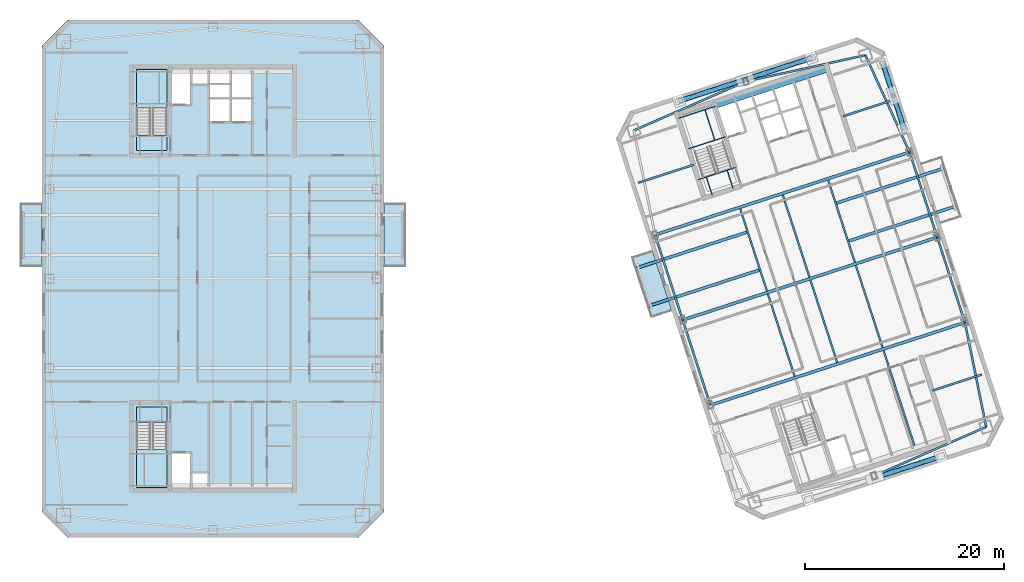
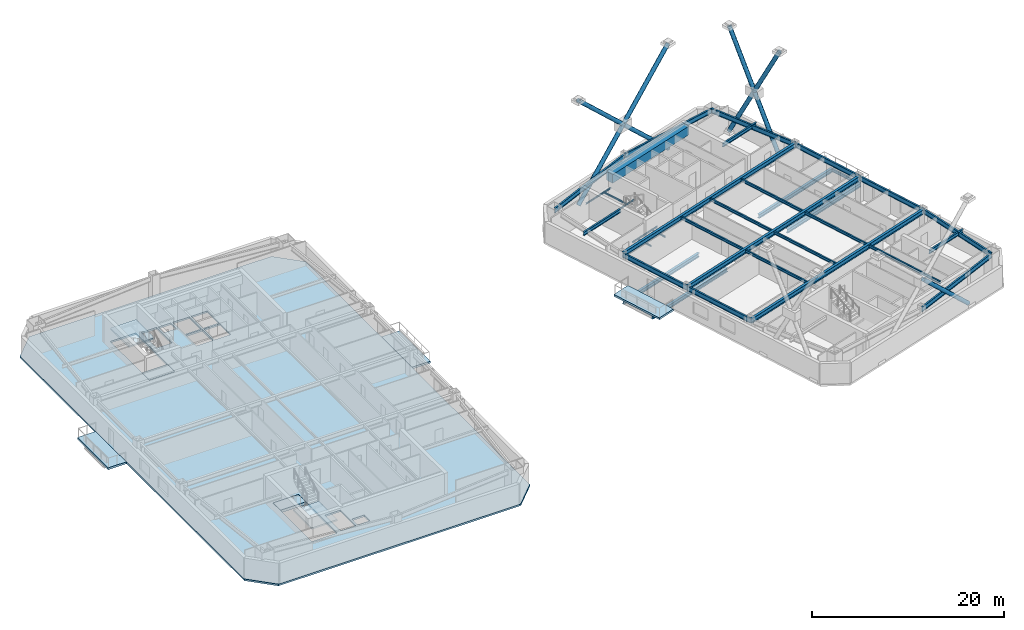
# One storey, part 4 of 16: 34 beams, 9 members, 8 slabs, 2 elements without a shape of their own.
"""IFC4 building model written with IfcOpenShell, lengths in metres."""

from ifc_helpers import new_model, si_unit, direction, frame, origin, origin_2d, place, context, subcontext, project, spatial, polyline, rectangle, hollow_circle, i_section, outline, extrude, material, layer, layer_set, material_profile, profile_set, type_object, element, aggregate, save


model = new_model("IFC4")

# Units and contexts
model_context = context("Model", 3, precision=1e-05, world=origin(), true_north=direction((0.0, 1.0)))
body_context = subcontext(model_context, "Body", "Model", "MODEL_VIEW")
ifc_project = project(units=[si_unit("LENGTHUNIT", "METRE"), si_unit("AREAUNIT", "SQUARE_METRE"), si_unit("VOLUMEUNIT", "CUBIC_METRE"), si_unit("PLANEANGLEUNIT", "RADIAN"), si_unit("MASSUNIT", "GRAM", prefix="KILO")], contexts=[model_context])

# Site, building, storey
site_placement = place(None, origin())
site = spatial("IfcSite", under=ifc_project, at=site_placement, CompositionType="ELEMENT")
building_placement = place(site_placement, origin())
building = spatial("IfcBuilding", under=site, at=building_placement, Name="Qiaolan Cultural Towers", CompositionType="ELEMENT")
storey_placement = place(building_placement, frame((0.0, 0.0, 198.949951171875)))
storey = spatial("IfcBuildingStorey", under=building, at=storey_placement, Name="L53", CompositionType="ELEMENT", Elevation=198.949951171875)

# Beams
ifc_material_1 = material(Name="Steel Q355B", Category="steel")
ifc_material_profile_1 = material_profile(ifc_material_1, i_section(OverallWidth=0.300048828125, OverallDepth=0.488037109375, WebThickness=0.010986328125, FlangeThickness=0.01806640625, at=origin_2d()), Name="HM488x300x11x18")
ifc_profile_set_1 = profile_set([ifc_material_profile_1], Name="Steel Q355B")
beam_type_1 = type_object("IfcBeamType", Name="BM-HM488x300x11x18", PredefinedType="BEAM", material=ifc_profile_set_1)
beam_1_placement = place(storey_placement, frame((84.978515625, 34.891845703125, -0.52392578125), z_axis=(-0.951057886204, -0.309012778197, 0.0), x_axis=(0.309012778197, -0.951057886204, 0.0)))
element("IfcBeam", 1, at=beam_1_placement, inside=storey, type_object=beam_type_1, Name="L53 T2 Tree Balcony Back-Spanned Bracket Beam", PredefinedType="BEAM", context=body_context, shape_type="SweptSolid", body=[
    extrude(i_section(OverallWidth=0.300048828125, OverallDepth=0.488037109375, WebThickness=0.010986328125, FlangeThickness=0.01806640625, at=origin_2d()), origin(), (0.0, 0.0, 1.0), 11.749755859375),
])
beam_2_placement = place(storey_placement, frame((83.742431640625, 38.6962890625, -0.52392578125), z_axis=(-0.951051779584, -0.309031572091, 0.0), x_axis=(0.309031572091, -0.951051779584, 0.0)))
element("IfcBeam", 2, at=beam_2_placement, inside=storey, type_object=beam_type_1, Name="L53 T2 Tree Balcony Back-Spanned Bracket Beam", PredefinedType="BEAM", context=body_context, shape_type="SweptSolid", body=[
    extrude(i_section(OverallWidth=0.300048828125, OverallDepth=0.488037109375, WebThickness=0.010986328125, FlangeThickness=0.01806640625, at=origin_2d()), origin(), (0.0, 0.0, 1.0), 11.75),
])
beam_3_placement = place(storey_placement, frame((93.823486328125, 37.765869140625, -0.52392578125), z_axis=(0.951061016342, 0.309003144311, 0.0), x_axis=(-0.309003144311, 0.951061016342, 0.0)))
element("IfcBeam", 3, at=beam_3_placement, inside=storey, type_object=beam_type_1, Name="L53 T2 Tree Balcony Back-Spanned Bracket Beam", PredefinedType="BEAM", context=body_context, shape_type="SweptSolid", body=[
    extrude(i_section(OverallWidth=0.300048828125, OverallDepth=0.488037109375, WebThickness=0.010986328125, FlangeThickness=0.01806640625, at=origin_2d()), origin(), (0.0, 0.0, 1.0), 11.449951171875),
])
beam_4_placement = place(storey_placement, frame((92.58740234375, 41.570068359375, -0.52392578125), z_axis=(0.951054749965, 0.309022430527, 0.0), x_axis=(-0.309022430527, 0.951054749965, 0.0)))
element("IfcBeam", 4, at=beam_4_placement, inside=storey, type_object=beam_type_1, Name="L53 T2 Tree Balcony Back-Spanned Bracket Beam", PredefinedType="BEAM", context=body_context, shape_type="SweptSolid", body=[
    extrude(i_section(OverallWidth=0.300048828125, OverallDepth=0.488037109375, WebThickness=0.010986328125, FlangeThickness=0.01806640625, at=origin_2d()), origin(), (0.0, 0.0, 1.0), 11.4501953125),
])
ifc_material_2 = material(Name="Steel Q355B", Category="steel")
ifc_material_profile_2 = material_profile(ifc_material_2, i_section(OverallWidth=0.300048828125, OverallDepth=0.587890625, WebThickness=0.011962890625, FlangeThickness=0.02001953125, at=origin_2d()), Name="HM588x300x12x20")
ifc_profile_set_2 = profile_set([ifc_material_profile_2], Name="Steel Q355B")
beam_type_2 = type_object("IfcBeamType", Name="BM-HM588x300x12x20", PredefinedType="BEAM", material=ifc_profile_set_2)
beam_5_placement = place(storey_placement, frame((79.989501953125, 21.2841796875, 2.89599609375), z_axis=(0.951056543098, 0.309016911884, 0.0), x_axis=(-0.309016911884, 0.951056543098, 0.0)))
element("IfcBeam", 5, at=beam_5_placement, inside=storey, type_object=beam_type_2, Name="L53 T2 Primary Transverse Girder V1", PredefinedType="BEAM", context=body_context, shape_type="SweptSolid", body=[
    extrude(i_section(OverallWidth=0.300048828125, OverallDepth=0.587890625, WebThickness=0.011962890625, FlangeThickness=0.02001953125, at=origin_2d()), origin(), (0.0, 0.0, 1.0), 26.89990234375),
])
beam_6_placement = place(storey_placement, frame((77.208251953125, 29.84375, 2.89599609375), z_axis=(0.95105740976, 0.309014244561, 0.0), x_axis=(-0.309014244561, 0.95105740976, 0.0)))
element("IfcBeam", 6, at=beam_6_placement, inside=storey, type_object=beam_type_2, Name="L53 T2 Primary Transverse Girder V2", PredefinedType="BEAM", context=body_context, shape_type="SweptSolid", body=[
    extrude(i_section(OverallWidth=0.300048828125, OverallDepth=0.587890625, WebThickness=0.011962890625, FlangeThickness=0.02001953125, at=origin_2d()), origin(), (0.0, 0.0, 1.0), 26.900146484375),
])
beam_7_placement = place(storey_placement, frame((74.42724609375, 38.4033203125, 2.89599609375), z_axis=(0.951056543098, 0.309016911884, 0.0), x_axis=(-0.309016911884, 0.951056543098, 0.0)))
element("IfcBeam", 7, at=beam_7_placement, inside=storey, type_object=beam_type_2, Name="L53 T2 Primary Transverse Girder V3", PredefinedType="BEAM", context=body_context, shape_type="SweptSolid", body=[
    extrude(i_section(OverallWidth=0.300048828125, OverallDepth=0.587890625, WebThickness=0.011962890625, FlangeThickness=0.02001953125, at=origin_2d()), origin(), (0.0, 0.0, 1.0), 26.89990234375),
])
ifc_material_3 = material(Name="Steel Q355B", Category="steel")
ifc_material_profile_3 = material_profile(ifc_material_3, i_section(OverallWidth=0.175048828125, OverallDepth=0.35009765625, WebThickness=0.007080078125, FlangeThickness=0.010986328125, at=origin_2d()), Name="HN350x175x7x11")
ifc_profile_set_3 = profile_set([ifc_material_profile_3], Name="Steel Q355B")
beam_type_3 = type_object("IfcBeamType", Name="BM-JST-HN350x175x7x11", PredefinedType="JOIST", material=ifc_profile_set_3)
beam_8_placement = place(storey_placement, frame((104.713134765625, 41.303955078125, -0.52392578125), z_axis=(-0.3090046493, 0.951060527364, 0.0), x_axis=(-0.951060527364, -0.3090046493, 0.0)))
element("IfcBeam", 8, at=beam_8_placement, inside=storey, type_object=beam_type_3, Name="L53 T2 Tree Balcony Outer Edge Beam", PredefinedType="JOIST", context=body_context, shape_type="SweptSolid", body=[
    extrude(i_section(OverallWidth=0.175048828125, OverallDepth=0.35009765625, WebThickness=0.007080078125, FlangeThickness=0.010986328125, at=origin_2d()), origin(), (0.0, 0.0, 1.0), 4.000244140625),
])
for number, where, z_axis, x_axis, name in (
    (9, (88.455078125, 24.192626953125, 3.01513671875), (-0.309020714809, 0.951055307445, 0.0), (-0.951055307445, -0.309020714809, 0.0), "L53 T2 Secondary Floor Joist U1-2"),
    (10, (85.673828125, 32.752197265625, 3.01513671875), (-0.309020714809, 0.951055307445, 0.0), (-0.951055307445, -0.309020714809, 0.0), "L53 T2 Secondary Floor Joist U1-3"),
    (11, (92.73486328125, 25.583251953125, 3.01513671875), (-0.309020714809, 0.951055307445, 0.0), (-0.951055307445, -0.309020714809, 0.0), "L53 T2 Secondary Floor Joist U2-2"),
    (12, (89.95361328125, 34.142578125, 3.01513671875), (-0.309020714809, 0.951055307445, 0.0), (-0.951055307445, -0.309020714809, 0.0), "L53 T2 Secondary Floor Joist U2-3"),
):
    element("IfcBeam", number, at=place(storey_placement, frame(where, z_axis=z_axis, x_axis=x_axis)), inside=storey, type_object=beam_type_3, Name=name, PredefinedType="JOIST", context=body_context, shape_type="SweptSolid", body=[
        extrude(i_section(OverallWidth=0.175048828125, OverallDepth=0.35009765625, WebThickness=0.007080078125, FlangeThickness=0.010986328125, at=origin_2d()), origin(), (0.0, 0.0, 1.0), 8.699951171875),
    ])
beam_9_placement = place(storey_placement, frame((100.498291015625, 17.222900390625, 3.01513671875), z_axis=(-0.309025649293, 0.951053704098, 0.0), x_axis=(-0.951053704098, -0.309025649293, 0.0)))
element("IfcBeam", 13, at=beam_9_placement, inside=storey, type_object=beam_type_3, Name="L53 T2 Secondary Floor Joist U3-1", PredefinedType="JOIST", context=body_context, shape_type="SweptSolid", body=[
    extrude(i_section(OverallWidth=0.175048828125, OverallDepth=0.35009765625, WebThickness=0.007080078125, FlangeThickness=0.010986328125, at=origin_2d()), origin(), (0.0, 0.0, 1.0), 10.050048828125),
])
for number, where, z_axis, x_axis, name in (
    (14, (97.2998046875, 27.06640625, 3.01513671875), (-0.309020714809, 0.951055307445, 0.0), (-0.951055307445, -0.309020714809, 0.0), "L53 T2 Secondary Floor Joist U3-2"),
    (15, (94.518798828125, 35.6259765625, 3.01513671875), (-0.309020714809, 0.951055307445, 0.0), (-0.951055307445, -0.309020714809, 0.0), "L53 T2 Secondary Floor Joist U3-3"),
):
    element("IfcBeam", number, at=place(storey_placement, frame(where, z_axis=z_axis, x_axis=x_axis)), inside=storey, type_object=beam_type_3, Name=name, PredefinedType="JOIST", context=body_context, shape_type="SweptSolid", body=[
        extrude(i_section(OverallWidth=0.175048828125, OverallDepth=0.35009765625, WebThickness=0.007080078125, FlangeThickness=0.010986328125, at=origin_2d()), origin(), (0.0, 0.0, 1.0), 8.699951171875),
    ])
ifc_material_4 = material(Name="Steel Q355B", Category="steel")
ifc_material_profile_4 = material_profile(ifc_material_4, i_section(OverallWidth=0.199951171875, OverallDepth=0.449951171875, WebThickness=0.009033203125, FlangeThickness=0.013916015625, at=origin_2d()), Name="HN450x200x9x14")
ifc_profile_set_4 = profile_set([ifc_material_profile_4], Name="Steel Q355B")
beam_type_4 = type_object("IfcBeamType", Name="BM-LNT-HN450x200x9x14", PredefinedType="LINTEL", material=ifc_profile_set_4)
beam_10_placement = place(storey_placement, frame((78.291259765625, 45.44189453125, 2.965087890625), z_axis=(-0.951051548326, -0.309032283793, 0.0), x_axis=(0.309032283793, -0.951051548326, 0.0)))
element("IfcBeam", 16, at=beam_10_placement, inside=storey, type_object=beam_type_4, Name="L53 T2 Core Flank Tie Lintel WN", PredefinedType="LINTEL", context=body_context, shape_type="SweptSolid", body=[
    extrude(i_section(OverallWidth=0.199951171875, OverallDepth=0.449951171875, WebThickness=0.009033203125, FlangeThickness=0.013916015625, at=origin_2d()), origin(), (0.0, 0.0, 1.0), 5.85009765625),
])
for number, where, z_axis, x_axis, name in (
    (17, (102.279296875, 22.74365234375, 2.965087890625), (0.951060037126, 0.309006158161, 0.0), (-0.309006158161, 0.951060037126, 0.0), "L53 T2 Core Flank Tie Lintel ES"),
    (18, (93.31787109375, 50.32421875, 2.965087890625), (0.951060037126, 0.309006158161, 0.0), (-0.309006158161, 0.951060037126, 0.0), "L53 T2 Core Flank Tie Lintel EN"),
):
    element("IfcBeam", number, at=place(storey_placement, frame(where, z_axis=z_axis, x_axis=x_axis)), inside=storey, type_object=beam_type_4, Name=name, PredefinedType="LINTEL", context=body_context, shape_type="SweptSolid", body=[
        extrude(i_section(OverallWidth=0.199951171875, OverallDepth=0.449951171875, WebThickness=0.009033203125, FlangeThickness=0.013916015625, at=origin_2d()), origin(), (0.0, 0.0, 1.0), 5.25),
    ])
ifc_material_5 = material(Name="Concrete C50", Category="concrete")
ifc_material_profile_5 = material_profile(ifc_material_5, rectangle(XDim=0.89990234375, YDim=1.10009765625, at=origin_2d()), Name="RC900x1100")
ifc_profile_set_5 = profile_set([ifc_material_profile_5], Name="Concrete C50")
beam_type_5 = type_object("IfcBeamType", Name="BM-RC900x1100", PredefinedType="BEAM", material=ifc_profile_set_5)
beam_11_placement = place(storey_placement, frame((80.427978515625, 51.551025390625, 2.64013671875), z_axis=(0.951056266386, 0.309017763514, 0.0), x_axis=(-0.309017763514, 0.951056266386, 0.0)))
element("IfcBeam", 19, at=beam_11_placement, inside=storey, type_object=beam_type_5, Name="L53 T2 Core Header Girder N", PredefinedType="BEAM", context=body_context, shape_type="SweptSolid", body=[
    extrude(rectangle(XDim=0.89990234375, YDim=1.10009765625, at=origin_2d()), origin(), (0.0, 0.0, 1.0), 11.880126953125),
])
ifc_material_6 = material(Name="Steel Q355B", Category="steel")
ifc_material_profile_6 = material_profile(ifc_material_6, i_section(OverallWidth=0.199951171875, OverallDepth=0.60009765625, WebThickness=0.010986328125, FlangeThickness=0.01708984375, at=origin_2d()), Name="HN600x200x11x17")
ifc_profile_set_6 = profile_set([ifc_material_profile_6], Name="Steel Q355B")
beam_type_6 = type_object("IfcBeamType", Name="BM-SPD-HN600x200x11x17", PredefinedType="SPANDREL", material=ifc_profile_set_6)
beam_12_placement = place(storey_placement, frame((96.443115234375, 14.17041015625, 2.89013671875), z_axis=(0.916042038824, 0.401082264762, 0.0), x_axis=(-0.401082264762, 0.916042038824, 0.0)))
element("IfcBeam", 20, at=beam_12_placement, inside=storey, type_object=beam_type_6, Name="L53 T2 Perimeter Spandrel Beam 2", PredefinedType="SPANDREL", context=body_context, shape_type="SweptSolid", body=[
    extrude(i_section(OverallWidth=0.199951171875, OverallDepth=0.60009765625, WebThickness=0.010986328125, FlangeThickness=0.01708984375, at=origin_2d()), origin(), (0.0, 0.0, 1.0), 12.299560546875),
])
beam_13_placement = place(storey_placement, frame((107.7099609375, 19.103515625, 2.89013671875), z_axis=(-0.199578538116, 0.979881833245, 0.0), x_axis=(-0.979881833245, -0.199578538116, 0.0)))
element("IfcBeam", 21, at=beam_13_placement, inside=storey, type_object=beam_type_6, Name="L53 T2 Perimeter Spandrel Beam 3", PredefinedType="SPANDREL", context=body_context, shape_type="SweptSolid", body=[
    extrude(i_section(OverallWidth=0.199951171875, OverallDepth=0.60009765625, WebThickness=0.010986328125, FlangeThickness=0.01708984375, at=origin_2d()), origin(), (0.0, 0.0, 1.0), 10.70849609375),
])
for number, where, z_axis, x_axis, name in (
    (22, (105.57275390625, 29.5966796875, 2.89013671875), (-0.309000197986, 0.951061973609, 0.0), (-0.951061973609, -0.309000197986, 0.0), "L53 T2 Perimeter Spandrel Beam 4"),
    (23, (102.791748046875, 38.15625, 2.89013671875), (-0.309024734286, 0.951054001411, 0.0), (-0.951054001411, -0.309024734286, 0.0), "L53 T2 Perimeter Spandrel Beam 5"),
):
    element("IfcBeam", number, at=place(storey_placement, frame(where, z_axis=z_axis, x_axis=x_axis)), inside=storey, type_object=beam_type_6, Name=name, PredefinedType="SPANDREL", context=body_context, shape_type="SweptSolid", body=[
        extrude(i_section(OverallWidth=0.199951171875, OverallDepth=0.60009765625, WebThickness=0.010986328125, FlangeThickness=0.01708984375, at=origin_2d()), origin(), (0.0, 0.0, 1.0), 9.0),
    ])
beam_14_placement = place(storey_placement, frame((100.010498046875, 46.7158203125, 2.89013671875), z_axis=(-0.414500208282, 0.910049216985, 0.0), x_axis=(-0.910049216985, -0.414500208282, 0.0)))
element("IfcBeam", 24, at=beam_14_placement, inside=storey, type_object=beam_type_6, Name="L53 T2 Perimeter Spandrel Beam 6", PredefinedType="SPANDREL", context=body_context, shape_type="SweptSolid", body=[
    extrude(i_section(OverallWidth=0.199951171875, OverallDepth=0.60009765625, WebThickness=0.010986328125, FlangeThickness=0.01708984375, at=origin_2d()), origin(), (0.0, 0.0, 1.0), 10.70849609375),
])
beam_15_placement = place(storey_placement, frame((95.57177734375, 56.461181640625, 2.89013671875), z_axis=(-0.976843395078, -0.213955559619, 0.0), x_axis=(0.213955559619, -0.976843395078, 0.0)))
element("IfcBeam", 25, at=beam_15_placement, inside=storey, type_object=beam_type_6, Name="L53 T2 Perimeter Spandrel Beam 7", PredefinedType="SPANDREL", context=body_context, shape_type="SweptSolid", body=[
    extrude(i_section(OverallWidth=0.199951171875, OverallDepth=0.60009765625, WebThickness=0.010986328125, FlangeThickness=0.01708984375, at=origin_2d()), origin(), (0.0, 0.0, 1.0), 12.2998046875),
])
beam_16_placement = place(storey_placement, frame((83.556884765625, 53.82958984375, 2.89013671875), z_axis=(-0.916042038824, -0.401082264762, 0.0), x_axis=(0.401082264762, -0.916042038824, 0.0)))
element("IfcBeam", 26, at=beam_16_placement, inside=storey, type_object=beam_type_6, Name="L53 T2 Perimeter Spandrel Beam 8", PredefinedType="SPANDREL", context=body_context, shape_type="SweptSolid", body=[
    extrude(i_section(OverallWidth=0.199951171875, OverallDepth=0.60009765625, WebThickness=0.010986328125, FlangeThickness=0.01708984375, at=origin_2d()), origin(), (0.0, 0.0, 1.0), 12.299560546875),
])
for number, where, z_axis, x_axis, name in (
    (27, (74.42724609375, 38.4033203125, 2.89013671875), (0.309000197986, -0.951061973609, 0.0), (0.951061973609, 0.309000197986, 0.0), "L53 T2 Perimeter Spandrel Beam 10"),
    (28, (77.208251953125, 29.84375, 2.89013671875), (0.309024734286, -0.951054001411, 0.0), (0.951054001411, 0.309024734286, 0.0), "L53 T2 Perimeter Spandrel Beam 11"),
):
    element("IfcBeam", number, at=place(storey_placement, frame(where, z_axis=z_axis, x_axis=x_axis)), inside=storey, type_object=beam_type_6, Name=name, PredefinedType="SPANDREL", context=body_context, shape_type="SweptSolid", body=[
        extrude(i_section(OverallWidth=0.199951171875, OverallDepth=0.60009765625, WebThickness=0.010986328125, FlangeThickness=0.01708984375, at=origin_2d()), origin(), (0.0, 0.0, 1.0), 9.0),
    ])
ifc_material_7 = material(Name="Steel Q355B", Category="steel")
ifc_material_profile_7 = material_profile(ifc_material_7, i_section(OverallWidth=0.10009765625, OverallDepth=0.199951171875, WebThickness=0.005615234375, FlangeThickness=0.008056640625, at=origin_2d()), Name="HN200x100x5.5x8")
ifc_profile_set_7 = profile_set([ifc_material_profile_7], Name="Steel Q355B")
beam_type_7 = type_object("IfcBeamType", Name="BM-STTRIM-200", PredefinedType="BEAM", material=ifc_profile_set_7)
beam_17_placement = place(storey_placement, frame((78.773193359375, 43.958251953125, -0.4599609375), z_axis=(0.951072048947, 0.3089691857, 0.0), x_axis=(-0.3089691857, 0.951072048947, 0.0)))
element("IfcBeam", 29, at=beam_17_placement, inside=storey, type_object=beam_type_7, Name="L53 ST-E2 Floor Landing Header Beam", PredefinedType="BEAM", context=body_context, shape_type="SweptSolid", body=[
    extrude(i_section(OverallWidth=0.10009765625, OverallDepth=0.199951171875, WebThickness=0.005615234375, FlangeThickness=0.008056640625, at=origin_2d()), origin(), (0.0, 0.0, 1.0), 3.920166015625),
])
for number, where, z_axis, x_axis, name in (
    (30, (80.18115234375, 42.375732421875, -0.4599609375), (-0.308969394428, 0.951071981138, 0.0), (-0.951071981138, -0.308969394428, 0.0), "L53 ST-E2 Floor Landing Stringer 1"),
    (31, (82.2734375, 43.0556640625, -0.4599609375), (-0.308969394428, 0.951071981138, 0.0), (-0.951071981138, -0.308969394428, 0.0), "L53 ST-E2 Floor Landing Stringer 2"),
):
    element("IfcBeam", number, at=place(storey_placement, frame(where, z_axis=z_axis, x_axis=x_axis)), inside=storey, type_object=beam_type_7, Name=name, PredefinedType="BEAM", context=body_context, shape_type="SweptSolid", body=[
        extrude(i_section(OverallWidth=0.10009765625, OverallDepth=0.199951171875, WebThickness=0.005615234375, FlangeThickness=0.008056640625, at=origin_2d()), origin(), (0.0, 0.0, 1.0), 1.93994140625),
    ])
for number, where, z_axis, x_axis, name in (
    (32, (77.769287109375, 47.0478515625, 1.425048828125), (0.951053746643, 0.309025518358, 0.0), (-0.309025518358, 0.951053746643, 0.0), "L53 ST-E2 Stair Landing Support Beam 1-1"),
    (33, (76.770751953125, 50.12109375, 1.425048828125), (0.951072048947, 0.3089691857, 0.0), (-0.3089691857, 0.951072048947, 0.0), "L53 ST-E2 Stair Landing Support Beam 1-2"),
):
    element("IfcBeam", number, at=place(storey_placement, frame(where, z_axis=z_axis, x_axis=x_axis)), inside=storey, type_object=beam_type_7, Name=name, PredefinedType="BEAM", context=body_context, shape_type="SweptSolid", body=[
        extrude(i_section(OverallWidth=0.10009765625, OverallDepth=0.199951171875, WebThickness=0.005615234375, FlangeThickness=0.008056640625, at=origin_2d()), origin(), (0.0, 0.0, 1.0), 3.920166015625),
    ])
beam_18_placement = place(storey_placement, frame((80.44189453125, 47.916259765625, 1.425048828125), z_axis=(-0.309033108495, 0.951051280349, 0.0), x_axis=(-0.951051280349, -0.309033108495, 0.0)))
element("IfcBeam", 34, at=beam_18_placement, inside=storey, type_object=beam_type_7, Name="L53 ST-E2 Stair Landing Trimmer 1", PredefinedType="BEAM", context=body_context, shape_type="SweptSolid", body=[
    extrude(i_section(OverallWidth=0.10009765625, OverallDepth=0.199951171875, WebThickness=0.005615234375, FlangeThickness=0.008056640625, at=origin_2d()), origin(), (0.0, 0.0, 1.0), 3.231201171875),
])

# Members
ifc_material_8 = material(Name="Steel Q355B", Category="steel")
ifc_material_profile_8 = material_profile(ifc_material_8, hollow_circle(Radius=0.25, WallThickness=0.02490234375, at=origin_2d()), Name="CHS500x25")
ifc_profile_set_8 = profile_set([ifc_material_profile_8], Name="Steel Q355B")
member_type = type_object("IfcMemberType", Name="MBR-BRC-CHS500x25", PredefinedType="BRACE", material=ifc_profile_set_8)
member_1_placement = place(storey_placement, frame((99.459228515625, 49.06005859375, 0.150146484375), z_axis=(-0.14431495082, 0.444135568056, 0.884260590639), x_axis=(-0.951052389726, -0.30902969436, 0.0)))
element("IfcMember", 35, at=member_1_placement, inside=storey, type_object=member_type, Name="T2 EAST Perimeter Frame Diagonal E-Z4-M1-D1A", PredefinedType="BRACE", context=body_context, shape_type="SweptSolid", body=[
    extrude(hollow_circle(Radius=0.25, WallThickness=0.02490234375, at=origin_2d()), origin(), (0.0, 0.0, 1.0), 7.54833984375),
])
member_2_placement = place(storey_placement, frame((98.369873046875, 52.41259765625, 6.824951171875), z_axis=(-0.144310823552, 0.444122866209, 0.884267643825), x_axis=(-0.951052389726, -0.30902969436, 0.0)))
element("IfcMember", 36, at=member_2_placement, inside=storey, type_object=member_type, Name="T2 EAST Perimeter Frame Diagonal E-Z4-M1-D1B", PredefinedType="BRACE", context=body_context, shape_type="SweptSolid", body=[
    extrude(hollow_circle(Radius=0.25, WallThickness=0.02490234375, at=origin_2d()), origin(), (0.0, 0.0, 1.0), 7.548583984375),
])
member_3_placement = place(storey_placement, frame((97.280517578125, 55.76513671875, 0.150146484375), z_axis=(0.14431495082, -0.444135568056, 0.884260590639), x_axis=(0.951052389726, 0.30902969436, 0.0)))
element("IfcMember", 37, at=member_3_placement, inside=storey, type_object=member_type, Name="T2 EAST Perimeter Frame Diagonal E-Z4-M1-D2A", PredefinedType="BRACE", context=body_context, shape_type="SweptSolid", body=[
    extrude(hollow_circle(Radius=0.25, WallThickness=0.02490234375, at=origin_2d()), origin(), (0.0, 0.0, 1.0), 7.54833984375),
])
member_4_placement = place(storey_placement, frame((98.369873046875, 52.41259765625, 6.824951171875), z_axis=(0.144310823552, -0.444122866209, 0.884267643825), x_axis=(0.951052389726, 0.30902969436, 0.0)))
element("IfcMember", 38, at=member_4_placement, inside=storey, type_object=member_type, Name="T2 EAST Perimeter Frame Diagonal E-Z4-M1-D2B", PredefinedType="BRACE", context=body_context, shape_type="SweptSolid", body=[
    extrude(hollow_circle(Radius=0.25, WallThickness=0.02490234375, at=origin_2d()), origin(), (0.0, 0.0, 1.0), 7.548583984375),
])
for number, where, z_axis, x_axis, name in (
    (39, (103.162109375, 16.143310546875, 0.150146484375), (-0.688287675717, -0.223640487269, 0.690105070196), (0.309019824916, -0.951055596592, 0.0), "T2 SOUTH Perimeter Frame Diagonal E-Z4-M1-D2A"),
    (40, (76.837890625, 51.856689453125, 0.150146484375), (0.688287675717, 0.223640487269, 0.690105070196), (-0.309019824916, 0.951055596592, 0.0), "T2 NORTH Perimeter Frame Diagonal E-Z4-M1-D1A"),
):
    element("IfcMember", number, at=place(storey_placement, frame(where, z_axis=z_axis, x_axis=x_axis)), inside=storey, type_object=member_type, Name=name, PredefinedType="BRACE", context=body_context, shape_type="SweptSolid", body=[
        extrude(hollow_circle(Radius=0.25, WallThickness=0.02490234375, at=origin_2d()), origin(), (0.0, 0.0, 1.0), 9.672119140625),
    ])
member_5_placement = place(storey_placement, frame((83.4951171875, 54.019775390625, 6.824951171875), z_axis=(0.688288969768, 0.223632706448, 0.690106301016), x_axis=(-0.309009574742, 0.951058927048, 0.0)))
element("IfcMember", 41, at=member_5_placement, inside=storey, type_object=member_type, Name="T2 NORTH Perimeter Frame Diagonal E-Z4-M1-D1B", PredefinedType="BRACE", context=body_context, shape_type="SweptSolid", body=[
    extrude(hollow_circle(Radius=0.25, WallThickness=0.02490234375, at=origin_2d()), origin(), (0.0, 0.0, 1.0), 9.672607421875),
])
for number, where, z_axis, x_axis, name in (
    (42, (90.152587890625, 56.182861328125, 0.150146484375), (-0.688300959012, -0.223636601887, 0.690093080765), (0.309009574742, -0.951058927048, 0.0), "T2 NORTH Perimeter Frame Diagonal E-Z4-M1-D2A"),
    (43, (83.4951171875, 54.019775390625, 6.824951171875), (-0.688275686288, -0.223636591628, 0.690118290259), (0.309019824916, -0.951055596592, 0.0), "T2 NORTH Perimeter Frame Diagonal E-Z4-M1-D2B"),
):
    element("IfcMember", number, at=place(storey_placement, frame(where, z_axis=z_axis, x_axis=x_axis)), inside=storey, type_object=member_type, Name=name, PredefinedType="BRACE", context=body_context, shape_type="SweptSolid", body=[
        extrude(hollow_circle(Radius=0.25, WallThickness=0.02490234375, at=origin_2d()), origin(), (0.0, 0.0, 1.0), 9.67236328125),
    ])

# Slabs
ifc_material_9 = material(Name="Concrete C45", Category="concrete")
ifc_layer_1 = layer(ifc_material_9, 0.239990234375)
ifc_layer_set_1 = layer_set([ifc_layer_1], Name="Concrete C45")
slab_type_1 = type_object("IfcSlabType", Name="SL-BAL-240", PredefinedType="FLOOR", material=ifc_layer_set_1)
slab_1_placement = place(storey_placement, frame((0.0, 0.0, -0.239990234375)))
element("IfcSlab", 44, at=slab_1_placement, inside=storey, type_object=slab_type_1, Name="L53 T1 Planted Tree Balcony W", PredefinedType="FLOOR", context=body_context, shape_type="SweptSolid", body=[
    extrude(outline(polyline([(10.60009765625, 35.199951171875), (12.800048828125, 35.199951171875), (12.800048828125, 41.60009765625), (10.60009765625, 41.60009765625), (10.60009765625, 35.199951171875)])), origin(), (0.0, 0.0, 1.0), 0.239990234375),
])
slab_2_placement = place(storey_placement, frame((0.0, 0.0, -0.239990234375)))
element("IfcSlab", 45, at=slab_2_placement, inside=storey, type_object=slab_type_1, Name="L53 T1 Planted Tree Balcony E", PredefinedType="FLOOR", context=body_context, shape_type="SweptSolid", body=[
    extrude(outline(polyline([(47.199951171875, 35.199951171875), (49.39990234375, 35.199951171875), (49.39990234375, 41.60009765625), (47.199951171875, 41.60009765625), (47.199951171875, 35.199951171875)])), origin(), (0.0, 0.0, 1.0), 0.239990234375),
])
slab_3_placement = place(storey_placement, frame((0.0, 0.0, -0.239990234375)))
element("IfcSlab", 46, at=slab_3_placement, inside=storey, type_object=slab_type_1, Name="L53 T2 Planted Tree Balcony W", PredefinedType="FLOOR", context=body_context, shape_type="SweptSolid", body=[
    extrude(outline(polyline([(74.03173828125, 30.073486328125), (76.124267578125, 30.753173828125), (74.146484375, 36.840087890625), (72.05419921875, 36.16015625), (74.03173828125, 30.073486328125)])), origin(), (0.0, 0.0, 1.0), 0.239990234375),
])

# Stair, slab
ifc_material_10 = material(Name="Concrete C45", Category="concrete")
stair_type = type_object("IfcStairType", Name="STR-CORE-1500", PredefinedType="HALF_TURN_STAIR", material=ifc_material_10)
stair_1_placement = place(storey_placement, origin())
stair_1 = element("IfcStair", 47, at=stair_1_placement, inside=storey, type_object=stair_type, Name="L53 Smokeproof Exit Stair ST-W1", PredefinedType="HALF_TURN_STAIR")
ifc_material_11 = material(Name="Concrete C45", Category="concrete")
ifc_layer_2 = layer(ifc_material_11, 0.199951171875)
ifc_layer_set_2 = layer_set([ifc_layer_2], Name="Concrete C45")
slab_type_2 = type_object("IfcSlabType", Name="SL-STAIR-LAND", PredefinedType="LANDING", material=ifc_layer_set_2)
slab_4_placement = place(storey_placement, frame((0.0, 0.0, 1.525146484375)))
slab_4 = element("IfcSlab", 48, at=slab_4_placement, type_object=slab_type_2, Name="ST-W1 landing 1", PredefinedType="LANDING", context=body_context, shape_type="SweptSolid", body=[
    extrude(outline(polyline([(22.300048828125, 16.851318359375), (22.300048828125, 13.0), (25.3798828125, 13.0), (25.3798828125, 16.851318359375), (22.300048828125, 16.851318359375)])), origin(), (0.0, 0.0, 1.0), 0.199951171875),
])
aggregate(stair_1, [slab_4])

stair_2_placement = place(storey_placement, origin())
stair_2 = element("IfcStair", 49, at=stair_2_placement, inside=storey, type_object=stair_type, Name="L53 Smokeproof Exit Stair ST-W2", PredefinedType="HALF_TURN_STAIR")
slab_5_placement = place(storey_placement, frame((0.0, 0.0, 1.525146484375)))
slab_5 = element("IfcSlab", 50, at=slab_5_placement, type_object=slab_type_2, Name="ST-W2 landing 1", PredefinedType="LANDING", context=body_context, shape_type="SweptSolid", body=[
    extrude(outline(polyline([(25.3798828125, 51.148681640625), (25.3798828125, 55.0), (22.300048828125, 55.0), (22.300048828125, 51.148681640625), (25.3798828125, 51.148681640625)])), origin(), (0.0, 0.0, 1.0), 0.199951171875),
])
aggregate(stair_2, [slab_5])

# Slabs
ifc_material_12 = material(Name="Concrete C40", Category="concrete")
ifc_layer_3 = layer(ifc_material_12, 0.360107421875)
ifc_layer_set_3 = layer_set([ifc_layer_3], Name="Concrete C40")
slab_type_3 = type_object("IfcSlabType", Name="SL-STFLR-360", PredefinedType="LANDING", material=ifc_layer_set_3)
slab_6_placement = place(storey_placement, frame((0.0, 0.0, -0.35986328125)))
element("IfcSlab", 51, at=slab_6_placement, inside=storey, type_object=slab_type_3, Name="L53 ST-W1 Stair Floor Landing Slab", PredefinedType="LANDING", context=body_context, shape_type="SweptSolid", body=[
    extrude(outline(polyline([(22.302001953125, 21.097900390625), (22.302001953125, 19.548583984375), (25.3779296875, 19.548583984375), (25.3779296875, 21.097900390625), (22.302001953125, 21.097900390625)])), origin(), (0.0, 0.0, 1.0), 0.35986328125),
])
slab_7_placement = place(storey_placement, frame((0.0, 0.0, -0.35986328125)))
element("IfcSlab", 52, at=slab_7_placement, inside=storey, type_object=slab_type_3, Name="L53 ST-W2 Stair Floor Landing Slab", PredefinedType="LANDING", context=body_context, shape_type="SweptSolid", body=[
    extrude(outline(polyline([(25.3779296875, 46.902099609375), (25.3779296875, 48.451416015625), (22.302001953125, 48.451416015625), (22.302001953125, 46.902099609375), (25.3779296875, 46.902099609375)])), origin(), (0.0, 0.0, 1.0), 0.35986328125),
])
ifc_material_13 = material(Name="Concrete C45", Category="concrete")
ifc_layer_4 = layer(ifc_material_13, 0.219970703125)
ifc_layer_set_4 = layer_set([ifc_layer_4], Name="Concrete C45")
slab_type_4 = type_object("IfcSlabType", Name="SL-TYP-220", PredefinedType="FLOOR", material=ifc_layer_set_4)
slab_8_placement = place(storey_placement, frame((0.0, 0.0, -0.219970703125)))
element("IfcSlab", 53, at=slab_8_placement, inside=storey, type_object=slab_type_4, Name="L53 West Tower Floor Slab", PredefinedType="FLOOR", context=body_context, shape_type="SweptSolid", body=[
    extrude(outline(polyline([(15.39990234375, 8.0), (44.60009765625, 8.0), (47.199951171875, 10.60009765625), (47.199951171875, 57.39990234375), (44.60009765625, 60.0), (15.39990234375, 60.0), (12.800048828125, 57.39990234375), (12.800048828125, 10.60009765625), (15.39990234375, 8.0)]), holes=[polyline([(22.300048828125, 21.10009765625), (22.300048828125, 13.0), (25.3798828125, 13.0), (25.3798828125, 21.10009765625), (22.300048828125, 21.10009765625)]), polyline([(25.3798828125, 46.89990234375), (25.3798828125, 55.0), (22.300048828125, 55.0), (22.300048828125, 46.89990234375), (25.3798828125, 46.89990234375)]), polyline([(25.89990234375, 13.199951171875), (27.75, 13.199951171875), (27.75, 16.449951171875), (25.89990234375, 16.449951171875), (25.89990234375, 13.199951171875)]), polyline([(27.93994140625, 13.25), (29.449951171875, 13.25), (29.449951171875, 14.419921875), (27.93994140625, 14.419921875), (27.93994140625, 13.25)]), polyline([(25.89990234375, 51.550048828125), (27.75, 51.550048828125), (27.75, 54.800048828125), (25.89990234375, 54.800048828125), (25.89990234375, 51.550048828125)]), polyline([(27.93994140625, 53.580078125), (29.449951171875, 53.580078125), (29.449951171875, 54.75), (27.93994140625, 54.75), (27.93994140625, 53.580078125)]), polyline([(29.679931640625, 49.820068359375), (31.679931640625, 49.820068359375), (31.679931640625, 52.080078125), (29.679931640625, 52.080078125), (29.679931640625, 49.820068359375)]), polyline([(31.8798828125, 49.820068359375), (33.820068359375, 49.820068359375), (33.820068359375, 52.080078125), (31.8798828125, 52.080078125), (31.8798828125, 49.820068359375)]), polyline([(29.679931640625, 52.27001953125), (31.659912109375, 52.27001953125), (31.659912109375, 54.75), (29.679931640625, 54.75), (29.679931640625, 52.27001953125)]), polyline([(31.8798828125, 52.27001953125), (33.820068359375, 52.27001953125), (33.820068359375, 54.75), (31.8798828125, 54.75), (31.8798828125, 52.27001953125)])]), origin(), (0.0, 0.0, 1.0), 0.219970703125),
])

save(model, "model.ifc")
